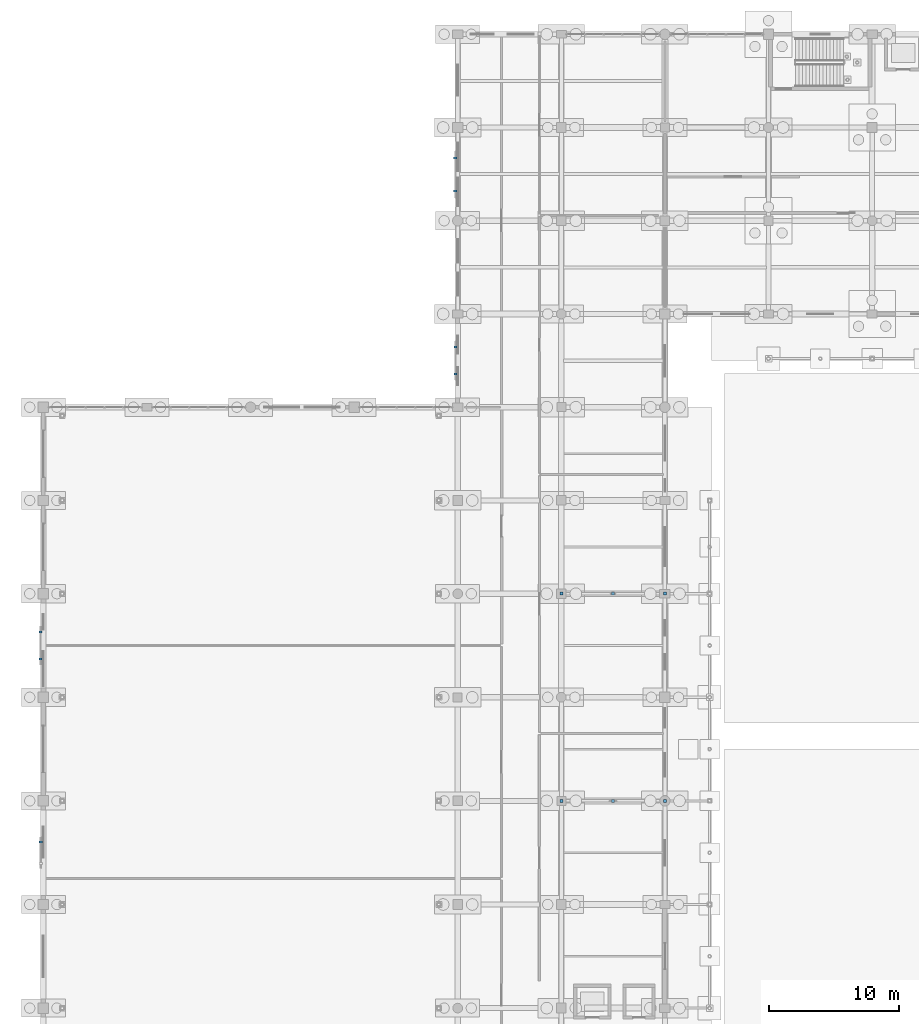
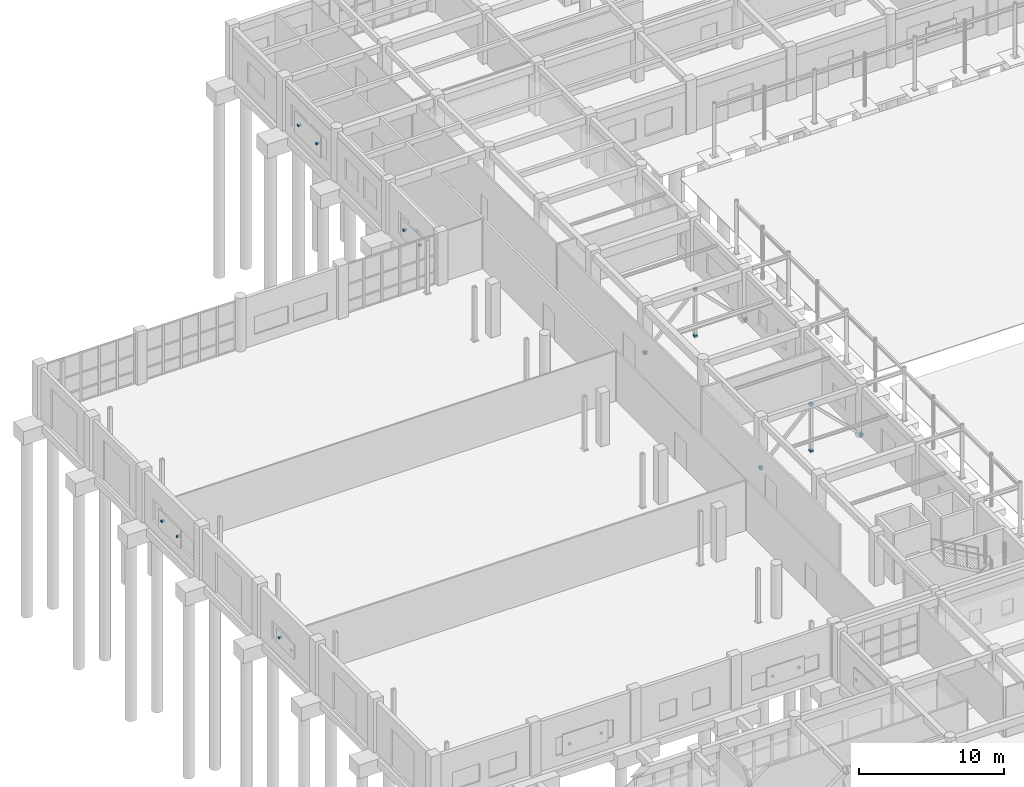
# One storey, part 146 of 166: 15 discrete accessories.
"""IFC4 building model written with IfcOpenShell, lengths in metres."""

from ifc_helpers import new_model, si_unit, direction, frame, origin, origin_2d, place, context, subcontext, project, spatial, rectangle, extrude, material, type_object, element, save


model = new_model("IFC4")

# Units and contexts
model_context = context("Model", 3, precision=1e-05, world=origin(), true_north=direction((0.0, 1.0)))
body_context = subcontext(model_context, "Body", "Model", "MODEL_VIEW")
ifc_project = project(units=[si_unit("LENGTHUNIT", "METRE"), si_unit("AREAUNIT", "SQUARE_METRE"), si_unit("VOLUMEUNIT", "CUBIC_METRE"), si_unit("PLANEANGLEUNIT", "RADIAN"), si_unit("MASSUNIT", "GRAM", prefix="KILO")], contexts=[model_context])

# Site, building, storey
site_placement = place(None, origin())
site = spatial("IfcSite", under=ifc_project, at=site_placement, CompositionType="ELEMENT")
building_placement = place(site_placement, origin())
building = spatial("IfcBuilding", under=site, at=building_placement, Name="Kharva Crest Polytechnic", CompositionType="ELEMENT")
storey_placement = place(building_placement, origin())
storey = spatial("IfcBuildingStorey", under=building, at=storey_placement, Name="L00", CompositionType="ELEMENT", Elevation=0.0)

# Discrete accessories
ifc_material_1 = material(Name="Anodised aluminium", Category="aluminium")
discrete_accessory_type_1 = type_object("IfcDiscreteAccessoryType", Name="ACC-BRK-JAALI", PredefinedType="BRACKET", material=ifc_material_1)
for number, where, z_axis, x_axis, name in (
    (1, (-0.2099609375, 75.85009765625, 1.56982421875), (0.0, 0.0, 1.0), (0.0, 1.0, 0.0), "L00 Jaali Screen Bracket 13.1"),
    (2, (-0.2099609375, 73.75, 1.56982421875), (0.0, 0.0, 1.0), (0.0, 1.0, 0.0), "L00 Jaali Screen Bracket 13.2"),
    (3, (-0.195068359375, 59.639892578125, 1.56982421875), (0.0, 0.0, 1.0), (0.0, 1.0, 0.0), "L00 Jaali Screen Bracket 14.1"),
    (4, (31.8125, 112.430419921875, 1.56982421875), (0.0, 0.0, 1.0), (0.0, 1.0, 0.0), "L00 Jaali Screen Bracket 24.1"),
    (5, (31.8125, 109.910400390625, 1.56982421875), (0.0, 0.0, 1.0), (0.0, 1.0, 0.0), "L00 Jaali Screen Bracket 24.2"),
    (6, (31.827392578125, 97.862548828125, 1.56982421875), (0.0, 0.0, 1.0), (0.0, 1.0, 0.0), "L00 Jaali Screen Bracket 25.1"),
    (7, (31.827392578125, 95.762451171875, 1.56982421875), (0.0, 0.0, 1.0), (0.0, 1.0, 0.0), "L00 Jaali Screen Bracket 25.2"),
):
    element("IfcDiscreteAccessory", number, at=place(storey_placement, frame(where, z_axis=z_axis, x_axis=x_axis)), inside=storey, type_object=discrete_accessory_type_1, Name=name, PredefinedType="BRACKET", context=body_context, shape_type="SweptSolid", body=[
        extrude(rectangle(XDim=0.159912109375, YDim=0.239990234375, at=origin_2d()), origin(), (0.0, 0.0, 1.0), 0.159912109375),
    ])
ifc_material_2 = material(Name="Steel S355", Category="steel")
discrete_accessory_type_2 = type_object("IfcDiscreteAccessoryType", Name="ACC-SHOE-BF240", PredefinedType="SHOE", material=ifc_material_2)
for number, where, z_axis, x_axis, name in (
    (8, (40.0, 62.800048828125, -0.1201171875), (0.0, 0.0, 1.0), (1.0, 0.0, 0.0), "L00 Brace Foot Shoe 1A"),
    (9, (48.0, 62.800048828125, -0.1201171875), (0.0, 0.0, 1.0), (1.0, 0.0, 0.0), "L00 Brace Foot Shoe 1B"),
    (10, (44.0, 62.800048828125, 3.830078125), (0.0, 0.0, 1.0), (1.0, 0.0, 0.0), "L00 Brace TOP Shoe 1"),
    (11, (44.0, 62.800048828125, -0.1201171875), (0.0, 0.0, 1.0), (1.0, 0.0, 0.0), "L00 Brace BOT Shoe 1"),
    (12, (40.0, 78.800048828125, -0.1201171875), (0.0, 0.0, 1.0), (1.0, 0.0, 0.0), "L00 Brace Foot Shoe 4A"),
    (13, (48.0, 78.800048828125, -0.1201171875), (0.0, 0.0, 1.0), (1.0, 0.0, 0.0), "L00 Brace Foot Shoe 4B"),
    (14, (44.0, 78.800048828125, 3.830078125), (0.0, 0.0, 1.0), (1.0, 0.0, 0.0), "L00 Brace TOP Shoe 4"),
    (15, (44.0, 78.800048828125, -0.1201171875), (0.0, 0.0, 1.0), (1.0, 0.0, 0.0), "L00 Brace BOT Shoe 4"),
):
    element("IfcDiscreteAccessory", number, at=place(storey_placement, frame(where, z_axis=z_axis, x_axis=x_axis)), inside=storey, type_object=discrete_accessory_type_2, Name=name, PredefinedType="SHOE", context=body_context, shape_type="SweptSolid", body=[
        extrude(rectangle(XDim=0.239990234375, YDim=0.239990234375, at=origin_2d()), origin(), (0.0, 0.0, 1.0), 0.239990234375),
    ])

save(model, "model.ifc")
